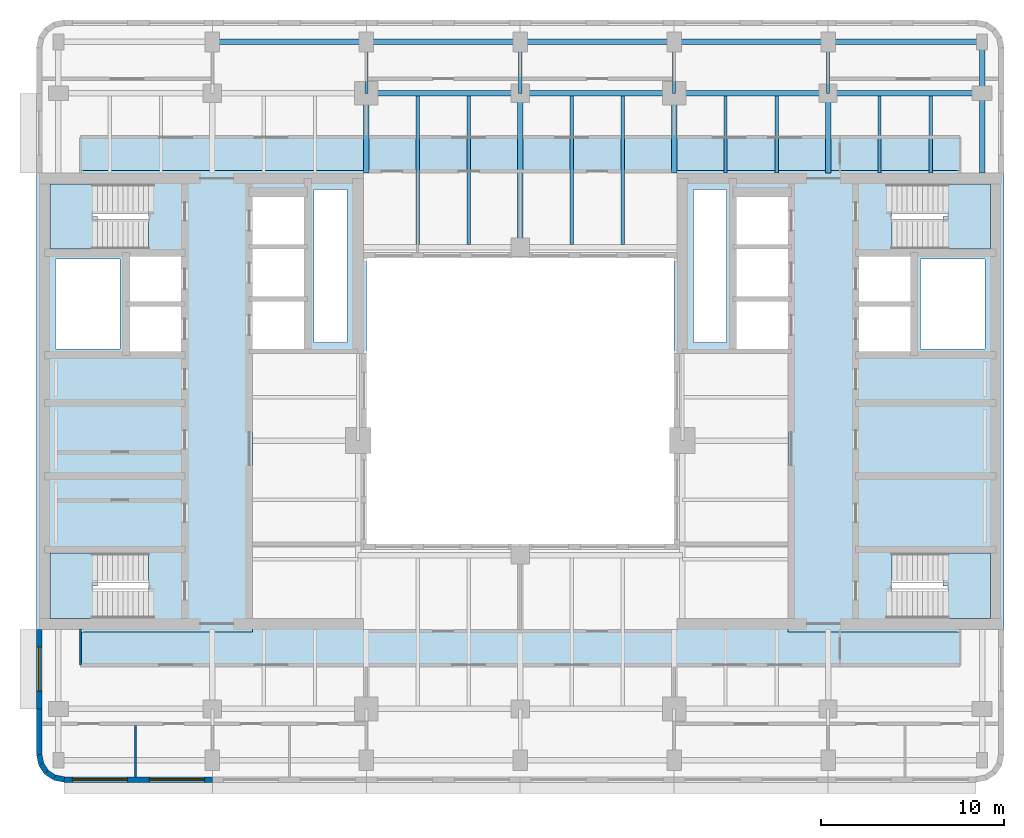
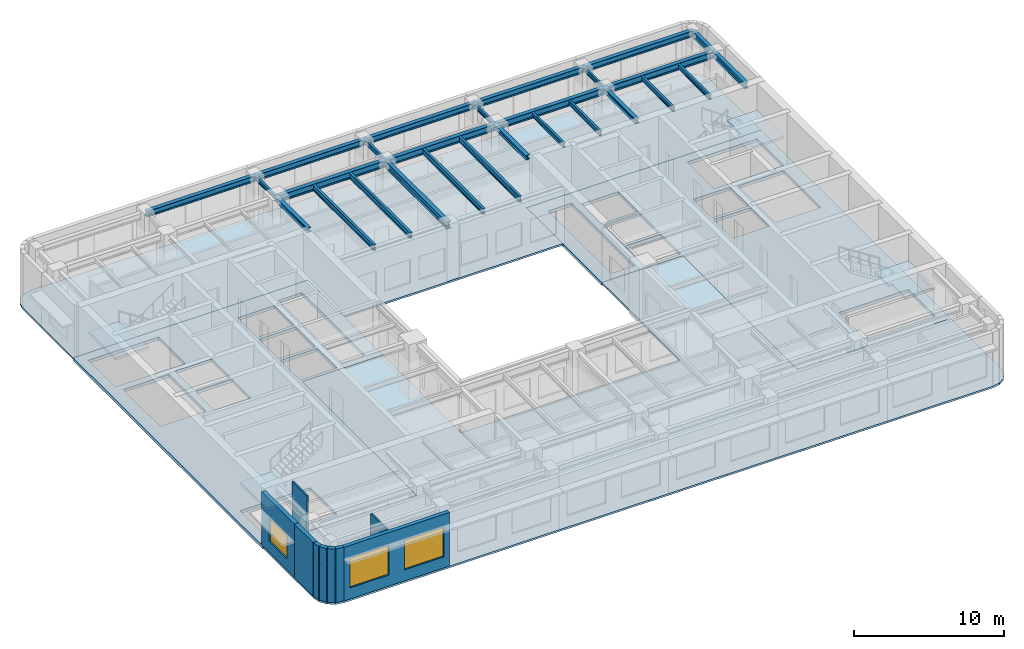
# One storey, part 2 of 11: 27 beams, 9 walls, 8 slabs, 3 windows, 3 openings, 4 elements without a shape of their own.
"""IFC4 building model written with IfcOpenShell, lengths in metres."""

from ifc_helpers import new_model, si_unit, direction, frame, frame_2d, origin, origin_2d, place, context, subcontext, project, spatial, polyline, rectangle, i_section, outline, extrude, material, layer, layer_set, material_profile, profile_set, type_object, element, fill, aggregate, save


model = new_model("IFC4")

# Units and contexts
model_context = context("Model", 3, precision=1e-05, world=origin(), true_north=direction((0.0, 1.0)))
body_context = subcontext(model_context, "Body", "Model", "MODEL_VIEW")
ifc_project = project(units=[si_unit("LENGTHUNIT", "METRE"), si_unit("AREAUNIT", "SQUARE_METRE"), si_unit("VOLUMEUNIT", "CUBIC_METRE"), si_unit("PLANEANGLEUNIT", "RADIAN"), si_unit("MASSUNIT", "GRAM", prefix="KILO")], contexts=[model_context])

# Site, building, storey
site_placement = place(None, origin())
site = spatial("IfcSite", under=ifc_project, at=site_placement, CompositionType="ELEMENT")
building_placement = place(site_placement, origin())
building = spatial("IfcBuilding", under=site, at=building_placement, Name="Claustro Exchange Tower", CompositionType="ELEMENT")
storey_placement = place(building_placement, frame((0.0, 0.0, 259.199951171875)))
storey = spatial("IfcBuildingStorey", under=building, at=storey_placement, Name="L59", CompositionType="ELEMENT", Elevation=259.199951171875)

# Beams
ifc_material_1 = material(Name="Steel S355", Category="steel")
ifc_material_profile_1 = material_profile(ifc_material_1, i_section(OverallWidth=0.169921875, OverallDepth=0.360107421875, WebThickness=0.008056640625, FlangeThickness=0.0126953125, FilletRadius=0.01806640625, at=origin_2d()), Name="IPE 360")
ifc_profile_set_1 = profile_set([ifc_material_profile_1], Name="Steel S355")
beam_type_1 = type_object("IfcBeamType", Name="B16 IPE 360 short-span beam", PredefinedType="BEAM", material=ifc_profile_set_1)
for number, where, z_axis, x_axis, name in (
    (1, (16.800048828125, 42.0, 4.170166015625), (0.0, 1.0, 0.0), (-1.0, 0.0, 0.0), "Beam B16 L60"),
    (2, (25.199951171875, 42.0, 4.170166015625), (0.0, 1.0, 0.0), (-1.0, 0.0, 0.0), "Beam B16 L60"),
    (3, (33.60009765625, 42.0, 4.170166015625), (0.0, 1.0, 0.0), (-1.0, 0.0, 0.0), "Beam B16 L60"),
    (4, (42.0, 42.0, 4.170166015625), (0.0, 1.0, 0.0), (-1.0, 0.0, 0.0), "Beam B16 L60"),
):
    element("IfcBeam", number, at=place(storey_placement, frame(where, z_axis=z_axis, x_axis=x_axis)), inside=storey, type_object=beam_type_1, Name=name, PredefinedType="BEAM", context=body_context, shape_type="SweptSolid", body=[
        extrude(i_section(OverallWidth=0.169921875, OverallDepth=0.360107421875, WebThickness=0.008056640625, FlangeThickness=0.0126953125, FilletRadius=0.01806640625, at=origin_2d()), origin(), (0.0, 0.0, 1.0), 2.800048828125),
    ])
for number, where, z_axis, x_axis, name in (
    (5, (36.39990234375, 37.64990234375, 4.170166015625), (0.0, 1.0, 0.0), (-1.0, 0.0, 0.0), "Beam B16 L60"),
    (6, (39.199951171875, 37.64990234375, 4.170166015625), (0.0, 1.0, 0.0), (-1.0, 0.0, 0.0), "Beam B16 L60"),
    (7, (44.800048828125, 37.64990234375, 4.170166015625), (0.0, 1.0, 0.0), (-1.0, 0.0, 0.0), "Beam B16 L60"),
    (8, (47.60009765625, 37.64990234375, 4.170166015625), (0.0, 1.0, 0.0), (-1.0, 0.0, 0.0), "Beam B16 L60"),
):
    element("IfcBeam", number, at=place(storey_placement, frame(where, z_axis=z_axis, x_axis=x_axis)), inside=storey, type_object=beam_type_1, Name=name, PredefinedType="BEAM", context=body_context, shape_type="SweptSolid", body=[
        extrude(i_section(OverallWidth=0.169921875, OverallDepth=0.360107421875, WebThickness=0.008056640625, FlangeThickness=0.0126953125, FilletRadius=0.01806640625, at=origin_2d()), origin(), (0.0, 0.0, 1.0), 4.2001953125),
    ])
ifc_material_2 = material(Name="Steel S355", Category="steel")
ifc_material_profile_2 = material_profile(ifc_material_2, i_section(OverallWidth=0.300048828125, OverallDepth=0.550048828125, WebThickness=0.014892578125, FlangeThickness=0.029052734375, FilletRadius=0.027099609375, at=origin_2d()), Name="HE 550 B")
ifc_profile_set_2 = profile_set([ifc_material_profile_2], Name="Steel S355")
beam_type_2 = type_object("IfcBeamType", Name="B17 HE 550 B floor girder", PredefinedType="BEAM", material=ifc_profile_set_2)
for number, where, z_axis, x_axis, name in (
    (9, (25.199951171875, 33.60009765625, 4.074951171875), (0.0, 1.0, 0.0), (-1.0, 0.0, 0.0), "Beam B17 L60"),
    (10, (16.800048828125, 42.0, 4.074951171875), (1.0, 0.0, 0.0), (0.0, 1.0, 0.0), "Beam B17 L60"),
):
    element("IfcBeam", number, at=place(storey_placement, frame(where, z_axis=z_axis, x_axis=x_axis)), inside=storey, type_object=beam_type_2, Name=name, PredefinedType="BEAM", context=body_context, shape_type="SweptSolid", body=[
        extrude(i_section(OverallWidth=0.300048828125, OverallDepth=0.550048828125, WebThickness=0.014892578125, FlangeThickness=0.029052734375, FilletRadius=0.027099609375, at=origin_2d()), origin(), (0.0, 0.0, 1.0), 8.39990234375),
    ])
beam_1_placement = place(storey_placement, frame((25.199951171875, 42.0, 4.074951171875), z_axis=(1.0, 0.0, 0.0), x_axis=(0.0, 1.0, 0.0)))
element("IfcBeam", 11, at=beam_1_placement, inside=storey, type_object=beam_type_2, Name="Beam B17 L60", PredefinedType="BEAM", context=body_context, shape_type="SweptSolid", body=[
    extrude(i_section(OverallWidth=0.300048828125, OverallDepth=0.550048828125, WebThickness=0.014892578125, FlangeThickness=0.029052734375, FilletRadius=0.027099609375, at=origin_2d()), origin(), (0.0, 0.0, 1.0), 8.400146484375),
])
for number, where, z_axis, x_axis, name in (
    (12, (33.60009765625, 42.0, 4.074951171875), (1.0, 0.0, 0.0), (0.0, 1.0, 0.0), "Beam B17 L60"),
    (13, (42.0, 42.0, 4.074951171875), (1.0, 0.0, 0.0), (0.0, 1.0, 0.0), "Beam B17 L60"),
):
    element("IfcBeam", number, at=place(storey_placement, frame(where, z_axis=z_axis, x_axis=x_axis)), inside=storey, type_object=beam_type_2, Name=name, PredefinedType="BEAM", context=body_context, shape_type="SweptSolid", body=[
        extrude(i_section(OverallWidth=0.300048828125, OverallDepth=0.550048828125, WebThickness=0.014892578125, FlangeThickness=0.029052734375, FilletRadius=0.027099609375, at=origin_2d()), origin(), (0.0, 0.0, 1.0), 8.39990234375),
    ])
ifc_material_3 = material(Name="Steel S355", Category="steel")
ifc_material_profile_3 = material_profile(ifc_material_3, i_section(OverallWidth=0.300048828125, OverallDepth=0.360107421875, WebThickness=0.012451171875, FlangeThickness=0.0224609375, FilletRadius=0.027099609375, at=origin_2d()), Name="HE 360 B")
ifc_profile_set_3 = profile_set([ifc_material_profile_3], Name="Steel S355")
beam_type_3 = type_object("IfcBeamType", Name="B29 HE 360 B column to core link beam", PredefinedType="BEAM", material=ifc_profile_set_3)
for number, where, z_axis, x_axis, name in (
    (14, (16.800048828125, 37.64990234375, 4.170166015625), (0.0, 1.0, 0.0), (-1.0, 0.0, 0.0), "Beam B29 L60"),
    (15, (33.60009765625, 37.64990234375, 4.170166015625), (0.0, 1.0, 0.0), (-1.0, 0.0, 0.0), "Beam B29 L60"),
    (16, (42.0, 37.64990234375, 4.170166015625), (0.0, 1.0, 0.0), (-1.0, 0.0, 0.0), "Beam B29 L60"),
):
    element("IfcBeam", number, at=place(storey_placement, frame(where, z_axis=z_axis, x_axis=x_axis)), inside=storey, type_object=beam_type_3, Name=name, PredefinedType="BEAM", context=body_context, shape_type="SweptSolid", body=[
        extrude(i_section(OverallWidth=0.300048828125, OverallDepth=0.360107421875, WebThickness=0.012451171875, FlangeThickness=0.0224609375, FilletRadius=0.027099609375, at=origin_2d()), origin(), (0.0, 0.0, 1.0), 4.35009765625),
    ])
ifc_material_4 = material(Name="Steel S355", Category="steel")
ifc_material_profile_4 = material_profile(ifc_material_4, i_section(OverallWidth=0.18994140625, OverallDepth=0.449951171875, WebThickness=0.009521484375, FlangeThickness=0.0146484375, FilletRadius=0.02099609375, at=origin_2d()), Name="IPE 450")
ifc_profile_set_4 = profile_set([ifc_material_profile_4], Name="Steel S355")
beam_type_4 = type_object("IfcBeamType", Name="B8 IPE 450 secondary beam", PredefinedType="BEAM", material=ifc_profile_set_4)
for number, where, z_axis, x_axis, name in (
    (17, (19.60009765625, 33.75, 4.125), (0.0, 1.0, 0.0), (-1.0, 0.0, 0.0), "Beam B8 L60"),
    (18, (22.39990234375, 33.75, 4.125), (0.0, 1.0, 0.0), (-1.0, 0.0, 0.0), "Beam B8 L60"),
    (19, (28.0, 33.75, 4.125), (0.0, 1.0, 0.0), (-1.0, 0.0, 0.0), "Beam B8 L60"),
    (20, (30.800048828125, 33.75, 4.125), (0.0, 1.0, 0.0), (-1.0, 0.0, 0.0), "Beam B8 L60"),
):
    element("IfcBeam", number, at=place(storey_placement, frame(where, z_axis=z_axis, x_axis=x_axis)), inside=storey, type_object=beam_type_4, Name=name, PredefinedType="BEAM", context=body_context, shape_type="SweptSolid", body=[
        extrude(i_section(OverallWidth=0.18994140625, OverallDepth=0.449951171875, WebThickness=0.009521484375, FlangeThickness=0.0146484375, FilletRadius=0.02099609375, at=origin_2d()), origin(), (0.0, 0.0, 1.0), 8.10009765625),
    ])
ifc_material_5 = material(Name="Steel S355", Category="steel")
ifc_material_profile_5 = material_profile(ifc_material_5, i_section(OverallWidth=0.300048828125, OverallDepth=0.489990234375, WebThickness=0.011962890625, FlangeThickness=0.02294921875, FilletRadius=0.027099609375, at=origin_2d()), Name="HE 500 A")
ifc_profile_set_5 = profile_set([ifc_material_profile_5], Name="Steel S355")
beam_type_5 = type_object("IfcBeamType", Name="B9 HE 500 A spandrel edge girder", PredefinedType="SPANDREL", material=ifc_profile_set_5)
beam_2_placement = place(storey_placement, frame((50.39990234375, 37.64990234375, 4.10498046875), z_axis=(0.0, 1.0, 0.0), x_axis=(-1.0, 0.0, 0.0)))
element("IfcBeam", 21, at=beam_2_placement, inside=storey, type_object=beam_type_5, Name="Beam B9 L60", PredefinedType="SPANDREL", context=body_context, shape_type="SweptSolid", body=[
    extrude(i_section(OverallWidth=0.300048828125, OverallDepth=0.489990234375, WebThickness=0.011962890625, FlangeThickness=0.02294921875, FilletRadius=0.027099609375, at=origin_2d()), origin(), (0.0, 0.0, 1.0), 4.35009765625),
])
beam_3_placement = place(storey_placement, frame((50.39990234375, 42.0, 4.10498046875), z_axis=(0.0, 1.0, 0.0), x_axis=(-1.0, 0.0, 0.0)))
element("IfcBeam", 22, at=beam_3_placement, inside=storey, type_object=beam_type_5, Name="Beam B9 L60", PredefinedType="SPANDREL", context=body_context, shape_type="SweptSolid", body=[
    extrude(i_section(OverallWidth=0.300048828125, OverallDepth=0.489990234375, WebThickness=0.011962890625, FlangeThickness=0.02294921875, FilletRadius=0.027099609375, at=origin_2d()), origin(), (0.0, 0.0, 1.0), 2.800048828125),
])
beam_4_placement = place(storey_placement, frame((8.39990234375, 44.800048828125, 4.10498046875), z_axis=(1.0, 0.0, 0.0), x_axis=(0.0, 1.0, 0.0)))
element("IfcBeam", 23, at=beam_4_placement, inside=storey, type_object=beam_type_5, Name="Beam B9 L60", PredefinedType="SPANDREL", context=body_context, shape_type="SweptSolid", body=[
    extrude(i_section(OverallWidth=0.300048828125, OverallDepth=0.489990234375, WebThickness=0.011962890625, FlangeThickness=0.02294921875, FilletRadius=0.027099609375, at=origin_2d()), origin(), (0.0, 0.0, 1.0), 8.400146484375),
])
beam_5_placement = place(storey_placement, frame((16.800048828125, 44.800048828125, 4.10498046875), z_axis=(1.0, 0.0, 0.0), x_axis=(0.0, 1.0, 0.0)))
element("IfcBeam", 24, at=beam_5_placement, inside=storey, type_object=beam_type_5, Name="Beam B9 L60", PredefinedType="SPANDREL", context=body_context, shape_type="SweptSolid", body=[
    extrude(i_section(OverallWidth=0.300048828125, OverallDepth=0.489990234375, WebThickness=0.011962890625, FlangeThickness=0.02294921875, FilletRadius=0.027099609375, at=origin_2d()), origin(), (0.0, 0.0, 1.0), 8.39990234375),
])
beam_6_placement = place(storey_placement, frame((25.199951171875, 44.800048828125, 4.10498046875), z_axis=(1.0, 0.0, 0.0), x_axis=(0.0, 1.0, 0.0)))
element("IfcBeam", 25, at=beam_6_placement, inside=storey, type_object=beam_type_5, Name="Beam B9 L60", PredefinedType="SPANDREL", context=body_context, shape_type="SweptSolid", body=[
    extrude(i_section(OverallWidth=0.300048828125, OverallDepth=0.489990234375, WebThickness=0.011962890625, FlangeThickness=0.02294921875, FilletRadius=0.027099609375, at=origin_2d()), origin(), (0.0, 0.0, 1.0), 8.400146484375),
])
for number, where, z_axis, x_axis, name in (
    (26, (33.60009765625, 44.800048828125, 4.10498046875), (1.0, 0.0, 0.0), (0.0, 1.0, 0.0), "Beam B9 L60"),
    (27, (42.0, 44.800048828125, 4.10498046875), (1.0, 0.0, 0.0), (0.0, 1.0, 0.0), "Beam B9 L60"),
):
    element("IfcBeam", number, at=place(storey_placement, frame(where, z_axis=z_axis, x_axis=x_axis)), inside=storey, type_object=beam_type_5, Name=name, PredefinedType="SPANDREL", context=body_context, shape_type="SweptSolid", body=[
        extrude(i_section(OverallWidth=0.300048828125, OverallDepth=0.489990234375, WebThickness=0.011962890625, FlangeThickness=0.02294921875, FilletRadius=0.027099609375, at=origin_2d()), origin(), (0.0, 0.0, 1.0), 8.39990234375),
    ])

# Slabs
ifc_material_6 = material(Name="Concrete HA-50 (C50/60)", Category="concrete")
ifc_layer_1 = layer(ifc_material_6, 0.14990234375)
ifc_layer_set_1 = layer_set([ifc_layer_1], Name="Concrete HA-50 (C50/60)")
slab_type_1 = type_object("IfcSlabType", Name="S2 150 composite floor slab", PredefinedType="FLOOR", material=ifc_layer_set_1)
slab_1_placement = place(storey_placement, frame((0.0, 0.0, -0.14990234375)))
element("IfcSlab", 28, at=slab_1_placement, inside=storey, type_object=slab_type_1, Name="Floor slab S2 S L59", PredefinedType="FLOOR", context=body_context, shape_type="SweptSolid", body=[
    extrude(outline(polyline([(-0.27392578125, 4.51416015625), (0.300048828125, 4.39990234375), (50.10009765625, 4.39990234375), (50.674072265625, 4.51416015625), (51.16064453125, 4.83935546875), (51.48583984375, 5.325927734375), (51.60009765625, 5.89990234375), (51.60009765625, 12.60009765625), (39.800048828125, 12.60009765625), (39.800048828125, 27.800048828125), (33.60009765625, 27.800048828125), (33.60009765625, 17.39990234375), (16.800048828125, 17.39990234375), (16.800048828125, 27.800048828125), (10.60009765625, 27.800048828125), (10.60009765625, 12.60009765625), (-1.199951171875, 12.60009765625), (-1.199951171875, 5.89990234375), (-1.085693359375, 5.325927734375), (-0.7607421875, 4.83935546875), (-0.27392578125, 4.51416015625)])), origin(), (0.0, 0.0, 1.0), 0.14990234375),
])
slab_2_placement = place(storey_placement, frame((0.0, 0.0, -0.14990234375)))
element("IfcSlab", 29, at=slab_2_placement, inside=storey, type_object=slab_type_1, Name="Floor slab S2 N L59", PredefinedType="FLOOR", context=body_context, shape_type="SweptSolid", body=[
    extrude(outline(polyline([(16.800048828125, 37.800048828125), (16.800048828125, 33.0), (33.60009765625, 33.0), (33.60009765625, 37.800048828125), (51.60009765625, 37.800048828125), (51.60009765625, 44.5), (51.48583984375, 45.073974609375), (51.16064453125, 45.560791015625), (50.674072265625, 45.8857421875), (50.10009765625, 46.0), (0.300048828125, 46.0), (-0.27392578125, 45.8857421875), (-0.7607421875, 45.560791015625), (-1.085693359375, 45.073974609375), (-1.199951171875, 44.5), (-1.199951171875, 37.800048828125), (16.800048828125, 37.800048828125)])), origin(), (0.0, 0.0, 1.0), 0.14990234375),
])
ifc_material_7 = material(Name="Concrete HA-50 (C50/60)", Category="concrete")
ifc_layer_2 = layer(ifc_material_7, 0.25)
ifc_layer_set_2 = layer_set([ifc_layer_2], Name="Concrete HA-50 (C50/60)")
slab_type_2 = type_object("IfcSlabType", Name="S7 250 core floor slab", PredefinedType="FLOOR", material=ifc_layer_set_2)
slab_3_placement = place(storey_placement, frame((0.0, 0.0, -0.25)))
element("IfcSlab", 30, at=slab_3_placement, inside=storey, type_object=slab_type_2, Name="Core floor slab S7 W core L59", PredefinedType="FLOOR", context=body_context, shape_type="SweptSolid", body=[
    extrude(outline(polyline([(-1.199951171875, 37.800048828125), (-1.199951171875, 12.60009765625), (10.60009765625, 12.60009765625), (10.60009765625, 27.800048828125), (16.800048828125, 27.800048828125), (16.800048828125, 37.800048828125), (-1.199951171875, 37.800048828125)]), holes=[polyline([(13.949951171875, 36.75), (15.75, 36.75), (15.75, 28.39990234375), (13.949951171875, 28.39990234375), (13.949951171875, 36.75)]), polyline([(10.60009765625, 30.64990234375), (13.39990234375, 30.64990234375), (13.39990234375, 28.050048828125), (10.60009765625, 28.050048828125), (10.60009765625, 30.64990234375)]), polyline([(10.60009765625, 33.5), (13.39990234375, 33.5), (13.39990234375, 30.89990234375), (10.60009765625, 30.89990234375), (10.60009765625, 33.5)]), polyline([(13.39990234375, 36.35009765625), (13.39990234375, 33.75), (10.60009765625, 33.75), (10.60009765625, 36.35009765625), (13.39990234375, 36.35009765625)]), polyline([(3.89990234375, 30.375), (6.699951171875, 30.375), (6.699951171875, 27.89990234375), (3.89990234375, 27.89990234375), (3.89990234375, 30.375)]), polyline([(3.89990234375, 33.10009765625), (6.699951171875, 33.10009765625), (6.699951171875, 30.625), (3.89990234375, 30.625), (3.89990234375, 33.10009765625)]), polyline([(-0.449951171875, 13.35009765625), (-0.449951171875, 15.125), (-0.449951171875, 16.89990234375), (4.9150390625, 16.89990234375), (4.9150390625, 15.125), (4.919921875, 15.125), (4.919921875, 13.35009765625), (-0.449951171875, 13.35009765625)]), polyline([(-0.449951171875, 37.050048828125), (4.919921875, 37.050048828125), (4.919921875, 35.27490234375), (4.9150390625, 35.27490234375), (4.9150390625, 33.5), (-0.449951171875, 33.5), (-0.449951171875, 35.27490234375), (-0.449951171875, 37.050048828125)]), polyline([(-0.14990234375, 32.949951171875), (3.35009765625, 32.949951171875), (3.35009765625, 28.050048828125), (-0.14990234375, 28.050048828125), (-0.14990234375, 32.949951171875)])]), origin(), (0.0, 0.0, 1.0), 0.25),
])
slab_4_placement = place(storey_placement, frame((0.0, 0.0, -0.25)))
element("IfcSlab", 31, at=slab_4_placement, inside=storey, type_object=slab_type_2, Name="Core floor slab S7 E core L59", PredefinedType="FLOOR", context=body_context, shape_type="SweptSolid", body=[
    extrude(outline(polyline([(51.60009765625, 37.800048828125), (33.60009765625, 37.800048828125), (33.60009765625, 27.800048828125), (39.800048828125, 27.800048828125), (39.800048828125, 12.60009765625), (51.60009765625, 12.60009765625), (51.60009765625, 37.800048828125)]), holes=[polyline([(45.47998046875, 15.125), (45.485107421875, 15.125), (45.485107421875, 16.89990234375), (50.85009765625, 16.89990234375), (50.85009765625, 15.125), (50.85009765625, 13.35009765625), (45.47998046875, 13.35009765625), (45.47998046875, 15.125)]), polyline([(45.47998046875, 35.27490234375), (45.47998046875, 37.050048828125), (50.85009765625, 37.050048828125), (50.85009765625, 35.27490234375), (50.85009765625, 33.5), (45.485107421875, 33.5), (45.485107421875, 35.27490234375), (45.47998046875, 35.27490234375)]), polyline([(47.050048828125, 32.949951171875), (50.550048828125, 32.949951171875), (50.550048828125, 28.050048828125), (47.050048828125, 28.050048828125), (47.050048828125, 32.949951171875)]), polyline([(43.699951171875, 30.375), (46.5, 30.375), (46.5, 27.89990234375), (43.699951171875, 27.89990234375), (43.699951171875, 30.375)]), polyline([(43.699951171875, 33.10009765625), (46.5, 33.10009765625), (46.5, 30.625), (43.699951171875, 30.625), (43.699951171875, 33.10009765625)]), polyline([(37.0, 30.64990234375), (39.800048828125, 30.64990234375), (39.800048828125, 28.050048828125), (37.0, 28.050048828125), (37.0, 30.64990234375)]), polyline([(37.0, 33.5), (39.800048828125, 33.5), (39.800048828125, 30.89990234375), (37.0, 30.89990234375), (37.0, 33.5)]), polyline([(39.800048828125, 36.35009765625), (39.800048828125, 33.75), (37.0, 33.75), (37.0, 36.35009765625), (39.800048828125, 36.35009765625)]), polyline([(34.64990234375, 36.75), (36.449951171875, 36.75), (36.449951171875, 28.39990234375), (34.64990234375, 28.39990234375), (34.64990234375, 36.75)])]), origin(), (0.0, 0.0, 1.0), 0.25),
])

# Stair, slab
ifc_material_8 = material(Name="Concrete HA-30 (C30/37), precast", Category="concrete")
stair_type = type_object("IfcStairType", Name="ST2 half-turn stair, 25 risers of 180", PredefinedType="HALF_TURN_STAIR", material=ifc_material_8)
stair_1_placement = place(storey_placement, origin())
stair_1 = element("IfcStair", 32, at=stair_1_placement, inside=storey, type_object=stair_type, Name="Stair STWA L59", PredefinedType="HALF_TURN_STAIR")
ifc_material_9 = material(Name="Concrete HA-30 (C30/37), precast", Category="concrete")
ifc_layer_3 = layer(ifc_material_9, 0.199951171875)
ifc_layer_set_3 = layer_set([ifc_layer_3], Name="Concrete HA-30 (C30/37), precast")
slab_type_3 = type_object("IfcSlabType", Name="S9 200 stair landing", PredefinedType="LANDING", material=ifc_layer_set_3)
slab_5_placement = place(storey_placement, frame((0.0, 0.0, 2.14013671875)))
slab_5 = element("IfcSlab", 33, at=slab_5_placement, type_object=slab_type_3, Name="STWA landing 1", PredefinedType="LANDING", context=body_context, shape_type="SweptSolid", body=[
    extrude(outline(polyline([(1.844970703125, 13.35009765625), (-0.449951171875, 13.35009765625), (-0.449951171875, 16.89990234375), (1.840087890625, 16.89990234375), (1.844970703125, 16.89990234375), (2.1201171875, 16.89990234375), (2.1201171875, 15.125), (1.844970703125, 15.125), (1.844970703125, 13.35009765625)])), origin(), (0.0, 0.0, 1.0), 0.199951171875),
])
aggregate(stair_1, [slab_5])

stair_2_placement = place(storey_placement, origin())
stair_2 = element("IfcStair", 34, at=stair_2_placement, inside=storey, type_object=stair_type, Name="Stair STWB L59", PredefinedType="HALF_TURN_STAIR")
slab_6_placement = place(storey_placement, frame((0.0, 0.0, 2.14013671875)))
slab_6 = element("IfcSlab", 35, at=slab_6_placement, type_object=slab_type_3, Name="STWB landing 1", PredefinedType="LANDING", context=body_context, shape_type="SweptSolid", body=[
    extrude(outline(polyline([(2.1201171875, 35.27490234375), (2.1201171875, 33.5), (1.844970703125, 33.5), (1.840087890625, 33.5), (-0.449951171875, 33.5), (-0.449951171875, 37.050048828125), (1.844970703125, 37.050048828125), (1.844970703125, 35.27490234375), (2.1201171875, 35.27490234375)])), origin(), (0.0, 0.0, 1.0), 0.199951171875),
])
aggregate(stair_2, [slab_6])

stair_3_placement = place(storey_placement, origin())
stair_3 = element("IfcStair", 36, at=stair_3_placement, inside=storey, type_object=stair_type, Name="Stair STEA L59", PredefinedType="HALF_TURN_STAIR")
slab_7_placement = place(storey_placement, frame((0.0, 0.0, 2.14013671875)))
slab_7 = element("IfcSlab", 37, at=slab_7_placement, type_object=slab_type_3, Name="STEA landing 1", PredefinedType="LANDING", context=body_context, shape_type="SweptSolid", body=[
    extrude(outline(polyline([(50.85009765625, 16.89990234375), (50.85009765625, 13.35009765625), (48.554931640625, 13.35009765625), (48.554931640625, 15.125), (48.280029296875, 15.125), (48.280029296875, 16.89990234375), (48.554931640625, 16.89990234375), (48.56005859375, 16.89990234375), (50.85009765625, 16.89990234375)])), origin(), (0.0, 0.0, 1.0), 0.199951171875),
])
aggregate(stair_3, [slab_7])

stair_4_placement = place(storey_placement, origin())
stair_4 = element("IfcStair", 38, at=stair_4_placement, inside=storey, type_object=stair_type, Name="Stair STEB L59", PredefinedType="HALF_TURN_STAIR")
slab_8_placement = place(storey_placement, frame((0.0, 0.0, 2.14013671875)))
slab_8 = element("IfcSlab", 39, at=slab_8_placement, type_object=slab_type_3, Name="STEB landing 1", PredefinedType="LANDING", context=body_context, shape_type="SweptSolid", body=[
    extrude(outline(polyline([(48.280029296875, 33.5), (48.280029296875, 35.27490234375), (48.554931640625, 35.27490234375), (48.554931640625, 37.050048828125), (50.85009765625, 37.050048828125), (50.85009765625, 33.5), (48.56005859375, 33.5), (48.554931640625, 33.5), (48.280029296875, 33.5)])), origin(), (0.0, 0.0, 1.0), 0.199951171875),
])
aggregate(stair_4, [slab_8])

# Walls
ifc_material_10 = material(Name="Laminated glass in aluminium frame", Category="aluminium")
ifc_layer_4 = layer(ifc_material_10, 0.1201171875)
ifc_layer_set_4 = layer_set([ifc_layer_4], Name="Laminated glass in aluminium frame")
wall_type_1 = type_object("IfcWallType", Name="P2 120 glazed partition", PredefinedType="PARTITIONING", material=ifc_layer_set_4)
wall_1_placement = place(storey_placement, frame((4.199951171875, 4.699951171875, 0.0), z_axis=(0.0, 0.0, 1.0), x_axis=(0.0, 1.0, 0.0)))
element("IfcWall", 40, at=wall_1_placement, inside=storey, type_object=wall_type_1, Name="Partition P2 L59", PredefinedType="PARTITIONING", context=body_context, shape_type="SweptSolid", body=[
    extrude(rectangle(XDim=2.802001953125, YDim=0.1201171875, at=frame_2d((1.40087890625, 0.0))), origin(), (0.0, 0.0, 1.0), 3.860107421875),
])
wall_2_placement = place(storey_placement, frame((1.199951171875, 10.800048828125, 0.0), z_axis=(0.0, 0.0, 1.0), x_axis=(0.0, 1.0, 0.0)))
element("IfcWall", 41, at=wall_2_placement, inside=storey, type_object=wall_type_1, Name="Partition P2 L59", PredefinedType="PARTITIONING", context=body_context, shape_type="SweptSolid", body=[
    extrude(rectangle(XDim=1.951904296875, YDim=0.1201171875, at=frame_2d((0.97607421875, 0.0))), origin(), (0.0, 0.0, 1.0), 4.35009765625),
])

# Wall, openings, windows
ifc_material_11 = material(Name="Concrete HA-40 (C40/50), precast, white cement, acid-etched", Category="concrete")
ifc_layer_5 = layer(ifc_material_11, 0.300048828125)
ifc_layer_set_5 = layer_set([ifc_layer_5], Name="Concrete HA-40 (C40/50), precast, white cement, acid-etched")
wall_type_2 = type_object("IfcWallType", Name="PC1 300 precast concrete pier panel", PredefinedType="SOLIDWALL", material=ifc_layer_set_5)
wall_3_placement = place(storey_placement, frame((8.39990234375, 4.550048828125, 0.0), z_axis=(0.0, 0.0, 1.0), x_axis=(-1.0, 0.0, 0.0)))
wall_3 = element("IfcWall", 42, at=wall_3_placement, inside=storey, type_object=wall_type_2, Name="Precast pier panel PC1 L59", PredefinedType="SOLIDWALL", context=body_context, shape_type="SweptSolid", body=[
    extrude(rectangle(XDim=8.085205078125, YDim=0.300048828125, at=frame_2d((4.04248046875, 0.0))), origin(), (0.0, 0.0, 1.0), 4.35009765625),
])
opening_1_placement = place(wall_3_placement, frame((0.442626953125, 0.0, 0.89990234375)))
opening_1 = element("IfcOpeningElement", 43, at=opening_1_placement, cuts=wall_3, Name="Opening W3", PredefinedType="OPENING", context=body_context, shape_type="SweptSolid", body=[
    extrude(rectangle(XDim=3.0, YDim=2.39990234375, at=frame_2d((1.5, 1.199951171875))), frame((0.0, 0.159912109375, 0.0), z_axis=(0.0, -1.0, 0.0), x_axis=(1.0, 0.0, 0.0)), (0.0, 0.0, 1.0), 0.320068359375),
])
opening_2_placement = place(wall_3_placement, frame((4.642578125, 0.0, 0.89990234375)))
opening_2 = element("IfcOpeningElement", 44, at=opening_2_placement, cuts=wall_3, Name="Opening W3", PredefinedType="OPENING", context=body_context, shape_type="SweptSolid", body=[
    extrude(rectangle(XDim=3.0, YDim=2.39990234375, at=frame_2d((1.5, 1.199951171875))), frame((0.0, 0.159912109375, 0.0), z_axis=(0.0, -1.0, 0.0), x_axis=(1.0, 0.0, 0.0)), (0.0, 0.0, 1.0), 0.320068359375),
])
ifc_material_12 = material(Name="Aluminium frame, clear double glazing", Category="aluminium")
window_type_1 = type_object("IfcWindowType", Name="W3 3000 x 2400 window", PartitioningType="SINGLE_PANEL", PredefinedType="WINDOW", material=ifc_material_12)
window_1_placement = place(opening_1_placement, origin())
window_1 = element("IfcWindow", 45, at=window_1_placement, inside=storey, type_object=window_type_1, Name="Window W3 L59", OverallHeight=2.39990234375, OverallWidth=3.0, PartitioningType="SINGLE_PANEL", PredefinedType="WINDOW", context=body_context, shape_type="SweptSolid", body=[
    extrude(rectangle(XDim=3.0, YDim=2.39990234375, at=frame_2d((1.5, 1.199951171875))), frame((0.0, 0.030029296875, 0.0), z_axis=(0.0, -1.0, 0.0), x_axis=(1.0, 0.0, 0.0)), (0.0, 0.0, 1.0), 0.06005859375),
])
fill(opening_1, window_1)
window_2_placement = place(opening_2_placement, origin())
window_2 = element("IfcWindow", 46, at=window_2_placement, inside=storey, type_object=window_type_1, Name="Window W3 L59", OverallHeight=2.39990234375, OverallWidth=3.0, PartitioningType="SINGLE_PANEL", PredefinedType="WINDOW", context=body_context, shape_type="SweptSolid", body=[
    extrude(rectangle(XDim=3.0, YDim=2.39990234375, at=frame_2d((1.5, 1.199951171875))), frame((0.0, 0.030029296875, 0.0), z_axis=(0.0, -1.0, 0.0), x_axis=(1.0, 0.0, 0.0)), (0.0, 0.0, 1.0), 0.06005859375),
])
fill(opening_2, window_2)

# Walls
wall_4_placement = place(storey_placement, frame((0.314697265625, 4.550048828125, 0.0), z_axis=(0.0, 0.0, 1.0), x_axis=(-0.980788534345, 0.195073962632, 0.0)))
element("IfcWall", 47, at=wall_4_placement, inside=storey, type_object=wall_type_2, Name="Precast pier panel PC1 L59", PredefinedType="SOLIDWALL", context=body_context, shape_type="SweptSolid", body=[
    extrude(rectangle(XDim=0.540771484375, YDim=0.300048828125, at=frame_2d((0.2705078125, 0.0))), origin(), (0.0, 0.0, 1.0), 4.35009765625),
])
for number, where, z_axis, x_axis, name in (
    (48, (-0.215576171875, 4.655517578125, 0.0), (0.0, 0.0, 1.0), (-0.831478144188, 0.555557463938, 0.0), "Precast pier panel PC1 L59"),
    (49, (-0.652587890625, 4.947509765625, 0.0), (0.0, 0.0, 1.0), (-0.555557463938, 0.831478144188, 0.0), "Precast pier panel PC1 L59"),
):
    element("IfcWall", number, at=place(storey_placement, frame(where, z_axis=z_axis, x_axis=x_axis)), inside=storey, type_object=wall_type_2, Name=name, PredefinedType="SOLIDWALL", context=body_context, shape_type="SweptSolid", body=[
        extrude(rectangle(XDim=0.525634765625, YDim=0.300048828125, at=frame_2d((0.2626953125, 0.0))), origin(), (0.0, 0.0, 1.0), 4.35009765625),
    ])
wall_5_placement = place(storey_placement, frame((-0.944580078125, 5.384521484375, 0.0), z_axis=(0.0, 0.0, 1.0), x_axis=(-0.195073962632, 0.980788534345, 0.0)))
element("IfcWall", 50, at=wall_5_placement, inside=storey, type_object=wall_type_2, Name="Precast pier panel PC1 L59", PredefinedType="SOLIDWALL", context=body_context, shape_type="SweptSolid", body=[
    extrude(rectangle(XDim=0.540771484375, YDim=0.300048828125, at=frame_2d((0.2705078125, 0.0))), origin(), (0.0, 0.0, 1.0), 4.35009765625),
])
wall_6_placement = place(storey_placement, frame((-1.050048828125, 5.914794921875, 0.0), z_axis=(0.0, 0.0, 1.0), x_axis=(0.0, 1.0, 0.0)))
element("IfcWall", 51, at=wall_6_placement, inside=storey, type_object=wall_type_2, Name="Precast pier panel PC1 L59", PredefinedType="SOLIDWALL", context=body_context, shape_type="SweptSolid", body=[
    extrude(rectangle(XDim=2.485107421875, YDim=0.300048828125, at=frame_2d((1.24267578125, 0.0))), origin(), (0.0, 0.0, 1.0), 4.35009765625),
])

# Wall, opening, window
wall_7_placement = place(storey_placement, frame((-1.050048828125, 8.39990234375, 0.0), z_axis=(0.0, 0.0, 1.0), x_axis=(0.0, 1.0, 0.0)))
wall_7 = element("IfcWall", 52, at=wall_7_placement, inside=storey, type_object=wall_type_2, Name="Precast pier panel PC1 L59", PredefinedType="SOLIDWALL", context=body_context, shape_type="SweptSolid", body=[
    extrude(rectangle(XDim=4.35009765625, YDim=0.300048828125, at=frame_2d((2.175048828125, 0.0))), origin(), (0.0, 0.0, 1.0), 4.35009765625),
])
opening_3_placement = place(wall_7_placement, frame((0.97509765625, 0.0, 0.89990234375)))
opening_3 = element("IfcOpeningElement", 53, at=opening_3_placement, cuts=wall_7, Name="Opening W2", PredefinedType="OPENING", context=body_context, shape_type="SweptSolid", body=[
    extrude(rectangle(XDim=2.39990234375, YDim=1.89990234375, at=frame_2d((1.199951171875, 0.949951171875))), frame((0.0, 0.159912109375, 0.0), z_axis=(0.0, -1.0, 0.0), x_axis=(1.0, 0.0, 0.0)), (0.0, 0.0, 1.0), 0.320068359375),
])
ifc_material_13 = material(Name="Aluminium frame, clear double glazing", Category="aluminium")
window_type_2 = type_object("IfcWindowType", Name="W2 2400 x 1900 window", PartitioningType="SINGLE_PANEL", PredefinedType="WINDOW", material=ifc_material_13)
window_3_placement = place(opening_3_placement, origin())
window_3 = element("IfcWindow", 54, at=window_3_placement, inside=storey, type_object=window_type_2, Name="Window W2 L59", OverallHeight=1.89990234375, OverallWidth=2.39990234375, PartitioningType="SINGLE_PANEL", PredefinedType="WINDOW", context=body_context, shape_type="SweptSolid", body=[
    extrude(rectangle(XDim=2.39990234375, YDim=1.89990234375, at=frame_2d((1.199951171875, 0.949951171875))), frame((0.0, 0.030029296875, 0.0), z_axis=(0.0, -1.0, 0.0), x_axis=(1.0, 0.0, 0.0)), (0.0, 0.0, 1.0), 0.06005859375),
])
fill(opening_3, window_3)

save(model, "model.ifc")
